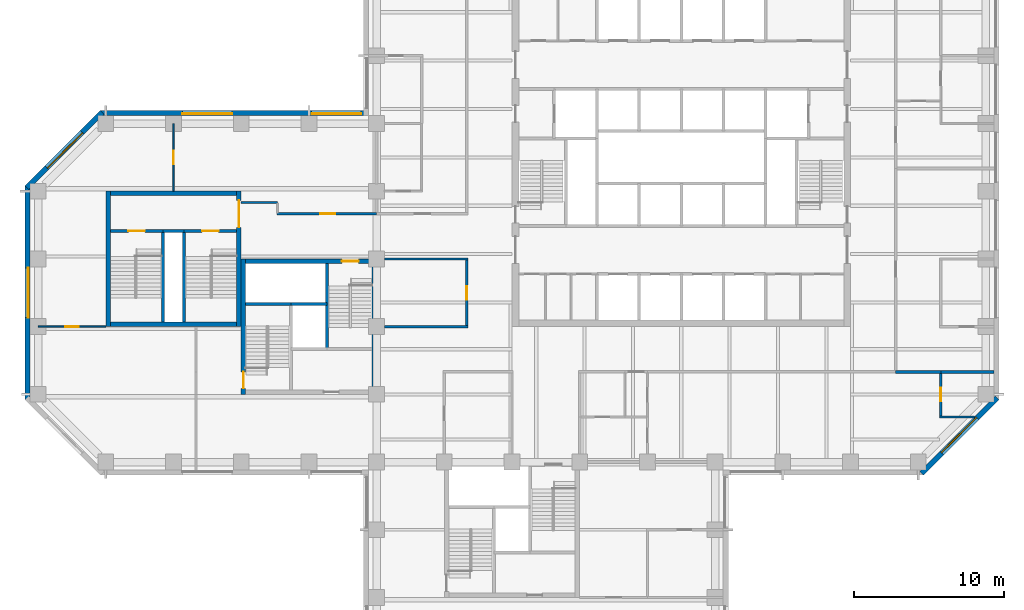
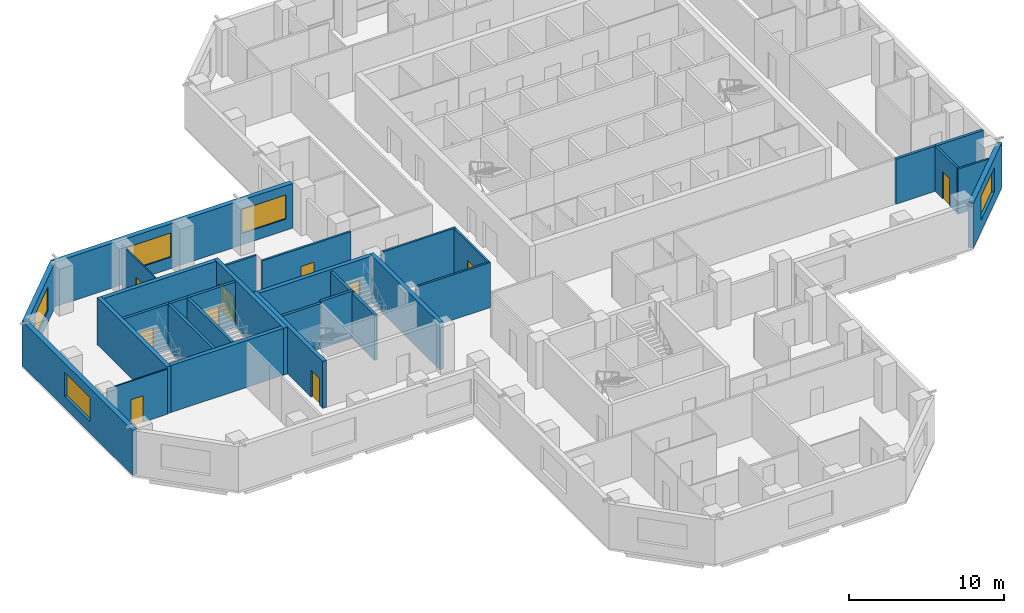
# One storey, part 5 of 11: 30 walls, 10 doors, 5 windows, 15 openings.
"""IFC4 building model written with IfcOpenShell, lengths in metres."""

from ifc_helpers import new_model, si_unit, direction, frame, frame_2d, origin, place, context, subcontext, project, spatial, rectangle, extrude, material, layer, layer_set, constituent, constituent_set, type_object, element, fill, save


model = new_model("IFC4")

# Units and contexts
model_context = context("Model", 3, precision=1e-05, world=origin(), true_north=direction((0.0, 1.0)))
body_context = subcontext(model_context, "Body", "Model", "MODEL_VIEW")
ifc_project = project(units=[si_unit("LENGTHUNIT", "METRE"), si_unit("AREAUNIT", "SQUARE_METRE"), si_unit("VOLUMEUNIT", "CUBIC_METRE"), si_unit("PLANEANGLEUNIT", "RADIAN"), si_unit("MASSUNIT", "GRAM", prefix="KILO")], contexts=[model_context])

# Site, building, storey
site_placement = place(None, origin())
site = spatial("IfcSite", under=ifc_project, at=site_placement, CompositionType="ELEMENT")
building_placement = place(site_placement, origin())
building = spatial("IfcBuilding", under=site, at=building_placement, Name="Quoin Convention Tower", CompositionType="ELEMENT")
storey_placement = place(building_placement, frame((0.0, 0.0, 123.300048828125)))
storey = spatial("IfcBuildingStorey", under=building, at=storey_placement, Name="L32", CompositionType="ELEMENT", Elevation=123.300048828125)

# Wall, opening, window
ifc_material_1 = material(Name="Brick masonry", Category="masonry")
ifc_layer_1 = layer(ifc_material_1, 0.35009765625)
ifc_layer_set_1 = layer_set([ifc_layer_1], Name="Brick masonry")
wall_type_1 = type_object("IfcWallType", Name="Brick facade wall", PredefinedType="STANDARD", material=ifc_layer_set_1)
wall_1_placement = place(storey_placement, frame((72.23876953125, 39.748779296875, 0.0), z_axis=(0.0, 0.0, 1.0), x_axis=(0.707106781187, 0.707106781187, 0.0)))
wall_1 = element("IfcWall", 1, at=wall_1_placement, inside=storey, type_object=wall_type_1, Name="fw-L32-72000_40500", PredefinedType="STANDARD", context=body_context, shape_type="SweptSolid", body=[
    extrude(rectangle(XDim=7.088623046875, YDim=0.35009765625, at=frame_2d((3.54443359375, 0.0))), origin(), (0.0, 0.0, 1.0), 3.52490234375),
])
opening_1_placement = place(wall_1_placement, frame((1.894287109375, 0.0, 0.89990234375)))
opening_1 = element("IfcOpeningElement", 2, at=opening_1_placement, cuts=wall_1, Name="Opening W-02", PredefinedType="OPENING", context=body_context, shape_type="SweptSolid", body=[
    extrude(rectangle(XDim=3.300048828125, YDim=1.89990234375, at=frame_2d((1.64990234375, 0.949951171875))), frame((0.0, 0.18505859375, 0.0), z_axis=(0.0, -1.0, 0.0), x_axis=(1.0, 0.0, 0.0)), (0.0, 0.0, 1.0), 0.3701171875),
])
ifc_material_2 = material(Name="Aluminium", Category="aluminium")
ifc_constituent_1 = constituent(ifc_material_2, Name="Frame")
ifc_material_3 = material(Name="Insulated glass", Category="glass")
ifc_constituent_2 = constituent(ifc_material_3, Name="Glazing")
ifc_constituent_set = constituent_set(constituents=[ifc_constituent_1, ifc_constituent_2], Name="Aluminium")
window_type = type_object("IfcWindowType", Name="Office window", PartitioningType="DOUBLE_PANEL_VERTICAL", PredefinedType="WINDOW", material=ifc_constituent_set)
window_1_placement = place(opening_1_placement, origin())
window_1 = element("IfcWindow", 3, at=window_1_placement, inside=storey, type_object=window_type, Name="win-L32-74745_42255", OverallHeight=1.89990234375, OverallWidth=3.300048828125, PartitioningType="SINGLE_PANEL", PredefinedType="WINDOW", context=body_context, shape_type="SweptSolid", body=[
    extrude(rectangle(XDim=3.300048828125, YDim=1.89990234375, at=frame_2d((1.64990234375, 0.949951171875))), frame((0.0, 0.0849609375, 0.0), z_axis=(0.0, -1.0, 0.0), x_axis=(1.0, 0.0, 0.0)), (0.0, 0.0, 1.0), 0.06005859375),
])
fill(opening_1, window_1)

# Wall, openings, windows
wall_2_placement = place(storey_placement, frame((35.47509765625, 63.699951171875, 0.0), z_axis=(0.0, 0.0, 1.0), x_axis=(-1.0, 0.0, 0.0)))
wall_2 = element("IfcWall", 4, at=wall_2_placement, inside=storey, type_object=wall_type_1, Name="fw-L32-36000_63000", PredefinedType="STANDARD", context=body_context, shape_type="SweptSolid", body=[
    extrude(rectangle(XDim=17.83740234375, YDim=0.35009765625, at=frame_2d((8.918701171875, 0.0))), origin(), (0.0, 0.0, 1.0), 3.52490234375),
])
opening_2_placement = place(wall_2_placement, frame((0.5, 0.0, 0.89990234375)))
opening_2 = element("IfcOpeningElement", 5, at=opening_2_placement, cuts=wall_2, Name="Opening W-02", PredefinedType="OPENING", context=body_context, shape_type="SweptSolid", body=[
    extrude(rectangle(XDim=3.300048828125, YDim=1.89990234375, at=frame_2d((1.64990234375, 0.949951171875))), frame((0.0, 0.18505859375, 0.0), z_axis=(0.0, -1.0, 0.0), x_axis=(1.0, 0.0, 0.0)), (0.0, 0.0, 1.0), 0.3701171875),
])
opening_3_placement = place(wall_2_placement, frame((9.074951171875, 0.0, 0.89990234375)))
opening_3 = element("IfcOpeningElement", 6, at=opening_3_placement, cuts=wall_2, Name="Opening W-02", PredefinedType="OPENING", context=body_context, shape_type="SweptSolid", body=[
    extrude(rectangle(XDim=3.300048828125, YDim=1.89990234375, at=frame_2d((1.64990234375, 0.949951171875))), frame((0.0, 0.18505859375, 0.0), z_axis=(0.0, -1.0, 0.0), x_axis=(1.0, 0.0, 0.0)), (0.0, 0.0, 1.0), 0.3701171875),
])
window_2_placement = place(opening_2_placement, origin())
window_2 = element("IfcWindow", 7, at=window_2_placement, inside=storey, type_object=window_type, Name="win-L32-33750_63700", OverallHeight=1.89990234375, OverallWidth=3.300048828125, PartitioningType="SINGLE_PANEL", PredefinedType="WINDOW", context=body_context, shape_type="SweptSolid", body=[
    extrude(rectangle(XDim=3.300048828125, YDim=1.89990234375, at=frame_2d((1.64990234375, 0.949951171875))), frame((0.0, 0.0849609375, 0.0), z_axis=(0.0, -1.0, 0.0), x_axis=(1.0, 0.0, 0.0)), (0.0, 0.0, 1.0), 0.06005859375),
])
fill(opening_2, window_2)
window_3_placement = place(opening_3_placement, origin())
window_3 = element("IfcWindow", 8, at=window_3_placement, inside=storey, type_object=window_type, Name="win-L32-24750_63700", OverallHeight=1.89990234375, OverallWidth=3.300048828125, PartitioningType="SINGLE_PANEL", PredefinedType="WINDOW", context=body_context, shape_type="SweptSolid", body=[
    extrude(rectangle(XDim=3.300048828125, YDim=1.89990234375, at=frame_2d((1.64990234375, 0.949951171875))), frame((0.0, 0.0849609375, 0.0), z_axis=(0.0, -1.0, 0.0), x_axis=(1.0, 0.0, 0.0)), (0.0, 0.0, 1.0), 0.06005859375),
])
fill(opening_3, window_3)

# Wall, opening, window
wall_3_placement = place(storey_placement, frame((17.76123046875, 63.751220703125, 0.0), z_axis=(0.0, 0.0, 1.0), x_axis=(-0.707106781187, -0.707106781187, 0.0)))
wall_3 = element("IfcWall", 9, at=wall_3_placement, inside=storey, type_object=wall_type_1, Name="fw-L32-18000_63000", PredefinedType="STANDARD", context=body_context, shape_type="SweptSolid", body=[
    extrude(rectangle(XDim=7.088623046875, YDim=0.35009765625, at=frame_2d((3.54443359375, 0.0))), origin(), (0.0, 0.0, 1.0), 3.52490234375),
])
opening_4_placement = place(wall_3_placement, frame((1.894287109375, 0.0, 0.89990234375)))
opening_4 = element("IfcOpeningElement", 10, at=opening_4_placement, cuts=wall_3, Name="Opening W-02", PredefinedType="OPENING", context=body_context, shape_type="SweptSolid", body=[
    extrude(rectangle(XDim=3.300048828125, YDim=1.89990234375, at=frame_2d((1.64990234375, 0.949951171875))), frame((0.0, 0.18505859375, 0.0), z_axis=(0.0, -1.0, 0.0), x_axis=(1.0, 0.0, 0.0)), (0.0, 0.0, 1.0), 0.3701171875),
])
window_4_placement = place(opening_4_placement, origin())
window_4 = element("IfcWindow", 11, at=window_4_placement, inside=storey, type_object=window_type, Name="win-L32-15255_61245", OverallHeight=1.89990234375, OverallWidth=3.300048828125, PartitioningType="SINGLE_PANEL", PredefinedType="WINDOW", context=body_context, shape_type="SweptSolid", body=[
    extrude(rectangle(XDim=3.300048828125, YDim=1.89990234375, at=frame_2d((1.64990234375, 0.949951171875))), frame((0.0, 0.0849609375, 0.0), z_axis=(0.0, -1.0, 0.0), x_axis=(1.0, 0.0, 0.0)), (0.0, 0.0, 1.0), 0.06005859375),
])
fill(opening_4, window_4)

wall_4_placement = place(storey_placement, frame((12.800048828125, 58.8623046875, 0.0), z_axis=(0.0, 0.0, 1.0), x_axis=(0.0, -1.0, 0.0)))
wall_4 = element("IfcWall", 12, at=wall_4_placement, inside=storey, type_object=wall_type_1, Name="fw-L32-13500_58500", PredefinedType="STANDARD", context=body_context, shape_type="SweptSolid", body=[
    extrude(rectangle(XDim=14.224609375, YDim=0.35009765625, at=frame_2d((7.1123046875, 0.0))), origin(), (0.0, 0.0, 1.0), 3.52490234375),
])
opening_5_placement = place(wall_4_placement, frame((5.46240234375, 0.0, 0.89990234375)))
opening_5 = element("IfcOpeningElement", 13, at=opening_5_placement, cuts=wall_4, Name="Opening W-02", PredefinedType="OPENING", context=body_context, shape_type="SweptSolid", body=[
    extrude(rectangle(XDim=3.300048828125, YDim=1.89990234375, at=frame_2d((1.64990234375, 0.949951171875))), frame((0.0, 0.18505859375, 0.0), z_axis=(0.0, -1.0, 0.0), x_axis=(1.0, 0.0, 0.0)), (0.0, 0.0, 1.0), 0.3701171875),
])
window_5_placement = place(opening_5_placement, origin())
window_5 = element("IfcWindow", 14, at=window_5_placement, inside=storey, type_object=window_type, Name="win-L32-12800_51750", OverallHeight=1.89990234375, OverallWidth=3.300048828125, PartitioningType="SINGLE_PANEL", PredefinedType="WINDOW", context=body_context, shape_type="SweptSolid", body=[
    extrude(rectangle(XDim=3.300048828125, YDim=1.89990234375, at=frame_2d((1.64990234375, 0.949951171875))), frame((0.0, 0.0849609375, 0.0), z_axis=(0.0, -1.0, 0.0), x_axis=(1.0, 0.0, 0.0)), (0.0, 0.0, 1.0), 0.06005859375),
])
fill(opening_5, window_5)

# Walls
ifc_material_4 = material(Name="Concrete C50", Category="concrete")
ifc_layer_2 = layer(ifc_material_4, 0.199951171875)
ifc_layer_set_2 = layer_set([ifc_layer_2], Name="Concrete C50")
wall_type_2 = type_object("IfcWallType", Name="Core shaft wall", PredefinedType="SOLIDWALL", material=ifc_layer_set_2)
wall_5_placement = place(storey_placement, frame((27.300048828125, 51.0, 0.0), z_axis=(0.0, 0.0, 1.0), x_axis=(1.0, 0.0, 0.0)))
element("IfcWall", 15, at=wall_5_placement, inside=storey, type_object=wall_type_2, Name="cr-P2-L32-h6000_300", PredefinedType="SOLIDWALL", context=body_context, shape_type="SweptSolid", body=[
    extrude(rectangle(XDim=3.0, YDim=0.199951171875, at=frame_2d((1.5, 0.0))), origin(), (0.0, 0.0, 1.0), 3.550048828125),
])
wall_6_placement = place(storey_placement, frame((32.699951171875, 48.0, 0.0), z_axis=(0.0, 0.0, 1.0), x_axis=(0.0, 1.0, 0.0)))
element("IfcWall", 16, at=wall_6_placement, inside=storey, type_object=wall_type_2, Name="cr-P2-L32-v5700_3000", PredefinedType="SOLIDWALL", context=body_context, shape_type="SweptSolid", body=[
    extrude(rectangle(XDim=5.699951171875, YDim=0.199951171875, at=frame_2d((2.85009765625, 0.0))), origin(), (0.0, 0.0, 1.0), 3.550048828125),
])
wall_7_placement = place(storey_placement, frame((21.800048828125, 55.85009765625, 0.0), z_axis=(0.0, 0.0, 1.0), x_axis=(1.0, 0.0, 0.0)))
element("IfcWall", 17, at=wall_7_placement, inside=storey, type_object=wall_type_2, Name="cr-P6-L32-h6350_3800", PredefinedType="SOLIDWALL", context=body_context, shape_type="SweptSolid", body=[
    extrude(rectangle(XDim=1.39990234375, YDim=0.199951171875, at=frame_2d((0.699951171875, 0.0))), origin(), (0.0, 0.0, 1.0), 3.550048828125),
])

# Wall, opening, door
wall_8_placement = place(storey_placement, frame((18.300048828125, 55.85009765625, 0.0), z_axis=(0.0, 0.0, 1.0), x_axis=(1.0, 0.0, 0.0)))
wall_8 = element("IfcWall", 18, at=wall_8_placement, inside=storey, type_object=wall_type_2, Name="cr-P6-L32-h6350_300", PredefinedType="SOLIDWALL", context=body_context, shape_type="SweptSolid", body=[
    extrude(rectangle(XDim=3.5, YDim=0.199951171875, at=frame_2d((1.75, 0.0))), origin(), (0.0, 0.0, 1.0), 3.550048828125),
])
opening_6_placement = place(wall_8_placement, frame((1.199951171875, 0.0, 0.0)))
opening_6 = element("IfcOpeningElement", 19, at=opening_6_placement, cuts=wall_8, Name="Opening SD11", PredefinedType="OPENING", context=body_context, shape_type="SweptSolid", body=[
    extrude(rectangle(XDim=1.10009765625, YDim=2.10009765625, at=frame_2d((0.550048828125, 1.050048828125))), frame((0.0, 0.10986328125, 0.0), z_axis=(0.0, -1.0, 0.0), x_axis=(1.0, 0.0, 0.0)), (0.0, 0.0, 1.0), 0.219970703125),
])
ifc_material_5 = material(Name="Steel door leaf", Category="steel")
door_type_1 = type_object("IfcDoorType", Name="Stair door 1100 x 2100", OperationType="SINGLE_SWING_RIGHT", PredefinedType="DOOR", material=ifc_material_5)
door_1_placement = place(opening_6_placement, origin())
door_1 = element("IfcDoor", 20, at=door_1_placement, inside=storey, type_object=door_type_1, Name="cd-P6-L32-SA-R2-SD11", OperationType="SINGLE_SWING_RIGHT", OverallHeight=2.10009765625, OverallWidth=1.10009765625, PredefinedType="DOOR", context=body_context, shape_type="SweptSolid", body=[
    extrude(rectangle(XDim=1.10009765625, YDim=2.10009765625, at=frame_2d((0.550048828125, 1.050048828125))), frame((0.0, 0.02490234375, 0.0), z_axis=(0.0, -1.0, 0.0), x_axis=(1.0, 0.0, 0.0)), (0.0, 0.0, 1.0), 0.050048828125),
])
fill(opening_6, door_1)

wall_9_placement = place(storey_placement, frame((23.199951171875, 55.85009765625, 0.0), z_axis=(0.0, 0.0, 1.0), x_axis=(1.0, 0.0, 0.0)))
wall_9 = element("IfcWall", 21, at=wall_9_placement, inside=storey, type_object=wall_type_2, Name="cr-P6-L32-h6350_5200", PredefinedType="SOLIDWALL", context=body_context, shape_type="SweptSolid", body=[
    extrude(rectangle(XDim=3.5, YDim=0.199951171875, at=frame_2d((1.75, 0.0))), origin(), (0.0, 0.0, 1.0), 3.550048828125),
])
opening_7_placement = place(wall_9_placement, frame((1.199951171875, 0.0, 0.0)))
opening_7 = element("IfcOpeningElement", 22, at=opening_7_placement, cuts=wall_9, Name="Opening SD12", PredefinedType="OPENING", context=body_context, shape_type="SweptSolid", body=[
    extrude(rectangle(XDim=1.10009765625, YDim=2.10009765625, at=frame_2d((0.550048828125, 1.050048828125))), frame((0.0, 0.10986328125, 0.0), z_axis=(0.0, -1.0, 0.0), x_axis=(1.0, 0.0, 0.0)), (0.0, 0.0, 1.0), 0.219970703125),
])
door_2_placement = place(opening_7_placement, origin())
door_2 = element("IfcDoor", 23, at=door_2_placement, inside=storey, type_object=door_type_1, Name="cd-P6-L32-SB-R2-SD12", OperationType="SINGLE_SWING_RIGHT", OverallHeight=2.10009765625, OverallWidth=1.10009765625, PredefinedType="DOOR", context=body_context, shape_type="SweptSolid", body=[
    extrude(rectangle(XDim=1.10009765625, YDim=2.10009765625, at=frame_2d((0.550048828125, 1.050048828125))), frame((0.0, 0.02490234375, 0.0), z_axis=(0.0, -1.0, 0.0), x_axis=(1.0, 0.0, 0.0)), (0.0, 0.0, 1.0), 0.050048828125),
])
fill(opening_7, door_2)

# Walls
for number, where, z_axis, x_axis, name in (
    (24, (21.800048828125, 49.800048828125, 0.0), (0.0, 0.0, 1.0), (0.0, 1.0, 0.0), "cr-P6-L32-v3800_300"),
    (25, (23.199951171875, 49.800048828125, 0.0), (0.0, 0.0, 1.0), (0.0, 1.0, 0.0), "cr-P6-L32-v5200_300"),
):
    element("IfcWall", number, at=place(storey_placement, frame(where, z_axis=z_axis, x_axis=x_axis)), inside=storey, type_object=wall_type_2, Name=name, PredefinedType="SOLIDWALL", context=body_context, shape_type="SweptSolid", body=[
        extrude(rectangle(XDim=6.050048828125, YDim=0.199951171875, at=frame_2d((3.02490234375, 0.0))), origin(), (0.0, 0.0, 1.0), 3.550048828125),
    ])
ifc_layer_3 = layer(ifc_material_4, 0.199951171875)
ifc_layer_set_3 = layer_set([ifc_layer_3], Name="Concrete C50")
wall_type_3 = type_object("IfcWallType", Name="Core shaft wall to the floor level over", PredefinedType="SOLIDWALL", material=ifc_layer_set_3)
wall_10_placement = place(storey_placement, frame((30.300048828125, 51.0, 0.0), z_axis=(0.0, 0.0, 1.0), x_axis=(1.0, 0.0, 0.0)))
element("IfcWall", 26, at=wall_10_placement, inside=storey, type_object=wall_type_3, Name="cr-P2-L32-h6000_3300", PredefinedType="SOLIDWALL", context=body_context, shape_type="SweptSolid", body=[
    extrude(rectangle(XDim=2.39990234375, YDim=0.199951171875, at=frame_2d((1.199951171875, 0.0))), origin(), (0.0, 0.0, 1.0), 3.699951171875),
])
ifc_material_6 = material(Name="Plasterboard")
ifc_layer_4 = layer(ifc_material_6, 0.012451171875, Name="Finish")
ifc_material_7 = material(Name="Steel stud framing", Category="steel")
ifc_layer_5 = layer(ifc_material_7, 0.125, Name="Structure")
ifc_layer_6 = layer(ifc_material_6, 0.012451171875, Name="Finish")
ifc_layer_set_4 = layer_set([ifc_layer_4, ifc_layer_5, ifc_layer_6], Name="Steel stud framing")
wall_type_4 = type_object("IfcWallType", Name="Corridor wall 150", PredefinedType="PARTITIONING", material=ifc_layer_set_4)
for number, where, z_axis, x_axis, name in (
    (27, (36.52490234375, 49.5, 0.0), (0.0, 0.0, 1.0), (1.0, 0.0, 0.0), "pw-L32-027"),
    (28, (36.52490234375, 54.0, 0.0), (0.0, 0.0, 1.0), (1.0, 0.0, 0.0), "pw-L32-031"),
):
    element("IfcWall", number, at=place(storey_placement, frame(where, z_axis=z_axis, x_axis=x_axis)), inside=storey, type_object=wall_type_4, Name=name, PredefinedType="PARTITIONING", context=body_context, shape_type="SweptSolid", body=[
        extrude(rectangle(XDim=5.550048828125, YDim=0.14990234375, at=frame_2d((2.77490234375, 0.0))), origin(), (0.0, 0.0, 1.0), 3.550048828125),
    ])

# Wall, opening, door
wall_11_placement = place(storey_placement, frame((29.3798828125, 57.0, 0.0), z_axis=(0.0, 0.0, 1.0), x_axis=(1.0, 0.0, 0.0)))
wall_11 = element("IfcWall", 29, at=wall_11_placement, inside=storey, type_object=wall_type_4, Name="pw-L32-033", PredefinedType="PARTITIONING", context=body_context, shape_type="SweptSolid", body=[
    extrude(rectangle(XDim=6.6201171875, YDim=0.14990234375, at=frame_2d((3.31005859375, 0.0))), origin(), (0.0, 0.0, 1.0), 3.550048828125),
])
opening_8_placement = place(wall_11_placement, frame((2.8798828125, 0.0, 0.0)))
opening_8 = element("IfcOpeningElement", 30, at=opening_8_placement, cuts=wall_11, Name="Opening DOL6-11", PredefinedType="OPENING", context=body_context, shape_type="SweptSolid", body=[
    extrude(rectangle(XDim=1.0, YDim=2.10009765625, at=frame_2d((0.5, 1.050048828125))), frame((0.0, 0.0849609375, 0.0), z_axis=(0.0, -1.0, 0.0), x_axis=(1.0, 0.0, 0.0)), (0.0, 0.0, 1.0), 0.169921875),
])
door_type_2 = type_object("IfcDoorType", Name="Tenancy entrance door 1000 x 2100", OperationType="DOUBLE_DOOR_SINGLE_SWING", PredefinedType="DOOR", material=ifc_material_5)
door_3_placement = place(opening_8_placement, origin())
door_3 = element("IfcDoor", 31, at=door_3_placement, inside=storey, type_object=door_type_2, Name="dr-L32-w01", OperationType="DOUBLE_DOOR_SINGLE_SWING", OverallHeight=2.10009765625, OverallWidth=1.0, PredefinedType="DOOR", context=body_context, shape_type="SweptSolid", body=[
    extrude(rectangle(XDim=1.0, YDim=2.10009765625, at=frame_2d((0.5, 1.050048828125))), frame((0.0, 0.02490234375, 0.0), z_axis=(0.0, -1.0, 0.0), x_axis=(1.0, 0.0, 0.0)), (0.0, 0.0, 1.0), 0.050048828125),
])
fill(opening_8, door_3)

wall_12_placement = place(storey_placement, frame((42.0, 49.574951171875, 0.0), z_axis=(0.0, 0.0, 1.0), x_axis=(0.0, 1.0, 0.0)))
wall_12 = element("IfcWall", 32, at=wall_12_placement, inside=storey, type_object=wall_type_4, Name="pw-L32-083", PredefinedType="PARTITIONING", context=body_context, shape_type="SweptSolid", body=[
    extrude(rectangle(XDim=4.35009765625, YDim=0.14990234375, at=frame_2d((2.175048828125, 0.0))), origin(), (0.0, 0.0, 1.0), 3.550048828125),
])
opening_9_placement = place(wall_12_placement, frame((1.699951171875, 0.0, 0.0)))
opening_9 = element("IfcOpeningElement", 33, at=opening_9_placement, cuts=wall_12, Name="Opening DOL6-30", PredefinedType="OPENING", context=body_context, shape_type="SweptSolid", body=[
    extrude(rectangle(XDim=0.89990234375, YDim=2.10009765625, at=frame_2d((0.449951171875, 1.050048828125))), frame((0.0, 0.0849609375, 0.0), z_axis=(0.0, -1.0, 0.0), x_axis=(1.0, 0.0, 0.0)), (0.0, 0.0, 1.0), 0.169921875),
])
door_type_3 = type_object("IfcDoorType", Name="Office door 900 x 2100", OperationType="SINGLE_SWING_RIGHT", PredefinedType="DOOR", material=ifc_material_5)
door_4_placement = place(opening_9_placement, origin())
door_4 = element("IfcDoor", 34, at=door_4_placement, inside=storey, type_object=door_type_3, Name="dr-L32-01", OperationType="SINGLE_SWING_RIGHT", OverallHeight=2.10009765625, OverallWidth=0.89990234375, PredefinedType="DOOR", context=body_context, shape_type="SweptSolid", body=[
    extrude(rectangle(XDim=0.89990234375, YDim=2.10009765625, at=frame_2d((0.449951171875, 1.050048828125))), frame((0.0, 0.02490234375, 0.0), z_axis=(0.0, -1.0, 0.0), x_axis=(1.0, 0.0, 0.0)), (0.0, 0.0, 1.0), 0.050048828125),
])
fill(opening_9, door_4)

# Wall
wall_13_placement = place(storey_placement, frame((27.0, 57.75, 0.0), z_axis=(0.0, 0.0, 1.0), x_axis=(1.0, 0.0, 0.0)))
element("IfcWall", 35, at=wall_13_placement, inside=storey, type_object=wall_type_4, Name="pw-L32-w03", PredefinedType="PARTITIONING", context=body_context, shape_type="SweptSolid", body=[
    extrude(rectangle(XDim=2.39990234375, YDim=0.14990234375, at=frame_2d((1.199951171875, 0.0))), origin(), (0.0, 0.0, 1.0), 3.550048828125),
])

# Wall, opening, door
ifc_material_8 = material(Name="Concrete C65", Category="concrete")
ifc_layer_7 = layer(ifc_material_8, 0.300048828125)
ifc_layer_set_5 = layer_set([ifc_layer_7], Name="Concrete C65")
wall_type_5 = type_object("IfcWallType", Name="RC CORE WALL 300 C65", PredefinedType="SHEAR", material=ifc_layer_set_5)
wall_14_placement = place(storey_placement, frame((27.300048828125, 53.85009765625, 0.0), z_axis=(0.0, 0.0, 1.0), x_axis=(1.0, 0.0, 0.0)))
wall_14 = element("IfcWall", 36, at=wall_14_placement, inside=storey, type_object=wall_type_5, Name="cwl-P2-L32-N", PredefinedType="SHEAR", context=body_context, shape_type="SweptSolid", body=[
    extrude(rectangle(XDim=8.39990234375, YDim=0.300048828125, at=frame_2d((4.199951171875, 0.0))), origin(), (0.0, 0.0, 1.0), 3.699951171875),
])
opening_10_placement = place(wall_14_placement, frame((6.39990234375, 0.0, 0.0)))
opening_10 = element("IfcOpeningElement", 37, at=opening_10_placement, cuts=wall_14, Name="Opening SD4", PredefinedType="OPENING", context=body_context, shape_type="SweptSolid", body=[
    extrude(rectangle(XDim=1.10009765625, YDim=2.10009765625, at=frame_2d((0.550048828125, 1.050048828125))), frame((0.0, 0.159912109375, 0.0), z_axis=(0.0, -1.0, 0.0), x_axis=(1.0, 0.0, 0.0)), (0.0, 0.0, 1.0), 0.320068359375),
])
door_5_placement = place(opening_10_placement, frame((1.10009765625, 0.0, 0.0), z_axis=(0.0, 0.0, 1.0), x_axis=(-1.0, 0.0, 0.0)))
door_5 = element("IfcDoor", 38, at=door_5_placement, inside=storey, type_object=door_type_1, Name="cd-P2-L32-SB-N", OperationType="SINGLE_SWING_LEFT", OverallHeight=2.10009765625, OverallWidth=1.10009765625, PredefinedType="DOOR", context=body_context, shape_type="SweptSolid", body=[
    extrude(rectangle(XDim=1.10009765625, YDim=2.10009765625, at=frame_2d((0.550048828125, 1.050048828125))), frame((0.0, 0.02490234375, 0.0), z_axis=(0.0, -1.0, 0.0), x_axis=(1.0, 0.0, 0.0)), (0.0, 0.0, 1.0), 0.050048828125),
])
fill(opening_10, door_5)

wall_15_placement = place(storey_placement, frame((27.14990234375, 45.0, 0.0), z_axis=(0.0, 0.0, 1.0), x_axis=(0.0, 1.0, 0.0)))
wall_15 = element("IfcWall", 39, at=wall_15_placement, inside=storey, type_object=wall_type_5, Name="cwl-P2-L32-W", PredefinedType="SHEAR", context=body_context, shape_type="SweptSolid", body=[
    extrude(rectangle(XDim=9.0, YDim=0.300048828125, at=frame_2d((4.5, 0.0))), origin(), (0.0, 0.0, 1.0), 3.699951171875),
])
opening_11_placement = place(wall_15_placement, frame((0.39990234375, 0.0, 0.0)))
opening_11 = element("IfcOpeningElement", 40, at=opening_11_placement, cuts=wall_15, Name="Opening SD3", PredefinedType="OPENING", context=body_context, shape_type="SweptSolid", body=[
    extrude(rectangle(XDim=1.10009765625, YDim=2.10009765625, at=frame_2d((0.550048828125, 1.050048828125))), frame((0.0, 0.159912109375, 0.0), z_axis=(0.0, -1.0, 0.0), x_axis=(1.0, 0.0, 0.0)), (0.0, 0.0, 1.0), 0.320068359375),
])
door_6_placement = place(opening_11_placement, frame((1.10009765625, 0.0, 0.0), z_axis=(0.0, 0.0, 1.0), x_axis=(-1.0, 0.0, 0.0)))
door_6 = element("IfcDoor", 41, at=door_6_placement, inside=storey, type_object=door_type_1, Name="cd-P2-L32-SA-W", OperationType="SINGLE_SWING_RIGHT", OverallHeight=2.10009765625, OverallWidth=1.10009765625, PredefinedType="DOOR", context=body_context, shape_type="SweptSolid", body=[
    extrude(rectangle(XDim=1.10009765625, YDim=2.10009765625, at=frame_2d((0.550048828125, 1.050048828125))), frame((0.0, 0.02490234375, 0.0), z_axis=(0.0, -1.0, 0.0), x_axis=(1.0, 0.0, 0.0)), (0.0, 0.0, 1.0), 0.050048828125),
])
fill(opening_11, door_6)

# Walls
wall_16_placement = place(storey_placement, frame((35.85009765625, 45.0, 0.0), z_axis=(0.0, 0.0, 1.0), x_axis=(0.0, 1.0, 0.0)))
element("IfcWall", 42, at=wall_16_placement, inside=storey, type_object=wall_type_5, Name="cwl-P2-L32-E", PredefinedType="SHEAR", context=body_context, shape_type="SweptSolid", body=[
    extrude(rectangle(XDim=9.0, YDim=0.300048828125, at=frame_2d((4.5, 0.0))), origin(), (0.0, 0.0, 1.0), 3.699951171875),
])
for number, where, z_axis, x_axis, name in (
    (43, (18.300048828125, 49.64990234375, 0.0), (0.0, 0.0, 1.0), (1.0, 0.0, 0.0), "cwl-P6-L32-S"),
    (44, (18.300048828125, 58.35009765625, 0.0), (0.0, 0.0, 1.0), (1.0, 0.0, 0.0), "cwl-P6-L32-N"),
):
    element("IfcWall", number, at=place(storey_placement, frame(where, z_axis=z_axis, x_axis=x_axis)), inside=storey, type_object=wall_type_5, Name=name, PredefinedType="SHEAR", context=body_context, shape_type="SweptSolid", body=[
        extrude(rectangle(XDim=8.39990234375, YDim=0.300048828125, at=frame_2d((4.199951171875, 0.0))), origin(), (0.0, 0.0, 1.0), 3.699951171875),
    ])
wall_17_placement = place(storey_placement, frame((18.14990234375, 49.5, 0.0), z_axis=(0.0, 0.0, 1.0), x_axis=(0.0, 1.0, 0.0)))
element("IfcWall", 45, at=wall_17_placement, inside=storey, type_object=wall_type_5, Name="cwl-P6-L32-W", PredefinedType="SHEAR", context=body_context, shape_type="SweptSolid", body=[
    extrude(rectangle(XDim=9.0, YDim=0.300048828125, at=frame_2d((4.5, 0.0))), origin(), (0.0, 0.0, 1.0), 3.699951171875),
])

# Wall, opening, door
wall_18_placement = place(storey_placement, frame((26.85009765625, 49.5, 0.0), z_axis=(0.0, 0.0, 1.0), x_axis=(0.0, 1.0, 0.0)))
wall_18 = element("IfcWall", 46, at=wall_18_placement, inside=storey, type_object=wall_type_5, Name="cwl-P6-L32-E", PredefinedType="SHEAR", context=body_context, shape_type="SweptSolid", body=[
    extrude(rectangle(XDim=9.0, YDim=0.300048828125, at=frame_2d((4.5, 0.0))), origin(), (0.0, 0.0, 1.0), 3.699951171875),
])
opening_12_placement = place(wall_18_placement, frame((6.60009765625, 0.0, 0.0)))
opening_12 = element("IfcOpeningElement", 47, at=opening_12_placement, cuts=wall_18, Name="Opening DCV5-54", PredefinedType="OPENING", context=body_context, shape_type="SweptSolid", body=[
    extrude(rectangle(XDim=1.800048828125, YDim=2.10009765625, at=frame_2d((0.89990234375, 1.050048828125))), frame((0.0, 0.159912109375, 0.0), z_axis=(0.0, -1.0, 0.0), x_axis=(1.0, 0.0, 0.0)), (0.0, 0.0, 1.0), 0.320068359375),
])
door_type_4 = type_object("IfcDoorType", Name="Goods lobby door 1800 x 2100", OperationType="SINGLE_SWING_LEFT", PredefinedType="DOOR", material=ifc_material_5)
door_7_placement = place(opening_12_placement, origin())
door_7 = element("IfcDoor", 48, at=door_7_placement, inside=storey, type_object=door_type_4, Name="cd-P6-L32-R2-E", OperationType="SINGLE_SWING_LEFT", OverallHeight=2.10009765625, OverallWidth=1.800048828125, PredefinedType="DOOR", context=body_context, shape_type="SweptSolid", body=[
    extrude(rectangle(XDim=1.800048828125, YDim=2.10009765625, at=frame_2d((0.89990234375, 1.050048828125))), frame((0.0, 0.02490234375, 0.0), z_axis=(0.0, -1.0, 0.0), x_axis=(1.0, 0.0, 0.0)), (0.0, 0.0, 1.0), 0.050048828125),
])
fill(opening_12, door_7)

ifc_layer_8 = layer(ifc_material_6, 0.012451171875, Name="Finish")
ifc_layer_9 = layer(ifc_material_7, 0.074951171875, Name="Structure")
ifc_layer_10 = layer(ifc_material_6, 0.012451171875, Name="Finish")
ifc_layer_set_6 = layer_set([ifc_layer_8, ifc_layer_9, ifc_layer_10], Name="Steel stud framing")
wall_type_6 = type_object("IfcWallType", Name="Stud partition 100", PredefinedType="PARTITIONING", material=ifc_layer_set_6)
wall_19_placement = place(storey_placement, frame((22.5, 63.0, 0.0), z_axis=(0.0, 0.0, 1.0), x_axis=(0.0, -1.0, 0.0)))
wall_19 = element("IfcWall", 49, at=wall_19_placement, inside=storey, type_object=wall_type_6, Name="pw-L32-w01", PredefinedType="PARTITIONING", context=body_context, shape_type="SweptSolid", body=[
    extrude(rectangle(XDim=4.5, YDim=0.10009765625, at=frame_2d((2.25, 0.0))), origin(), (0.0, 0.0, 1.0), 3.550048828125),
])
opening_13_placement = place(wall_19_placement, frame((1.800048828125, 0.0, 0.0)))
opening_13 = element("IfcOpeningElement", 50, at=opening_13_placement, cuts=wall_19, Name="Opening DOL6-38", PredefinedType="OPENING", context=body_context, shape_type="SweptSolid", body=[
    extrude(rectangle(XDim=0.89990234375, YDim=2.10009765625, at=frame_2d((0.449951171875, 1.050048828125))), frame((0.0, 0.06005859375, 0.0), z_axis=(0.0, -1.0, 0.0), x_axis=(1.0, 0.0, 0.0)), (0.0, 0.0, 1.0), 0.1201171875),
])
door_8_placement = place(opening_13_placement, origin())
door_8 = element("IfcDoor", 51, at=door_8_placement, inside=storey, type_object=door_type_3, Name="dr-L32-w02", OperationType="SINGLE_SWING_LEFT", OverallHeight=2.10009765625, OverallWidth=0.89990234375, PredefinedType="DOOR", context=body_context, shape_type="SweptSolid", body=[
    extrude(rectangle(XDim=0.89990234375, YDim=2.10009765625, at=frame_2d((0.449951171875, 1.050048828125))), frame((0.0, 0.02490234375, 0.0), z_axis=(0.0, -1.0, 0.0), x_axis=(1.0, 0.0, 0.0)), (0.0, 0.0, 1.0), 0.050048828125),
])
fill(opening_13, door_8)

wall_20_placement = place(storey_placement, frame((13.5, 49.5, 0.0), z_axis=(0.0, 0.0, 1.0), x_axis=(1.0, 0.0, 0.0)))
wall_20 = element("IfcWall", 52, at=wall_20_placement, inside=storey, type_object=wall_type_6, Name="pw-L32-w02", PredefinedType="PARTITIONING", context=body_context, shape_type="SweptSolid", body=[
    extrude(rectangle(XDim=4.5, YDim=0.10009765625, at=frame_2d((2.25, 0.0))), origin(), (0.0, 0.0, 1.0), 3.550048828125),
])
opening_14_placement = place(wall_20_placement, frame((1.800048828125, 0.0, 0.0)))
opening_14 = element("IfcOpeningElement", 53, at=opening_14_placement, cuts=wall_20, Name="Opening DOL6-39", PredefinedType="OPENING", context=body_context, shape_type="SweptSolid", body=[
    extrude(rectangle(XDim=0.89990234375, YDim=2.10009765625, at=frame_2d((0.449951171875, 1.050048828125))), frame((0.0, 0.06005859375, 0.0), z_axis=(0.0, -1.0, 0.0), x_axis=(1.0, 0.0, 0.0)), (0.0, 0.0, 1.0), 0.1201171875),
])
door_9_placement = place(opening_14_placement, frame((0.89990234375, 0.0, 0.0), z_axis=(0.0, 0.0, 1.0), x_axis=(-1.0, 0.0, 0.0)))
door_9 = element("IfcDoor", 54, at=door_9_placement, inside=storey, type_object=door_type_3, Name="dr-L32-w03", OperationType="SINGLE_SWING_LEFT", OverallHeight=2.10009765625, OverallWidth=0.89990234375, PredefinedType="DOOR", context=body_context, shape_type="SweptSolid", body=[
    extrude(rectangle(XDim=0.89990234375, YDim=2.10009765625, at=frame_2d((0.449951171875, 1.050048828125))), frame((0.0, 0.02490234375, 0.0), z_axis=(0.0, -1.0, 0.0), x_axis=(1.0, 0.0, 0.0)), (0.0, 0.0, 1.0), 0.050048828125),
])
fill(opening_14, door_9)

# Walls
ifc_layer_11 = layer(ifc_material_6, 0.012451171875, Name="Finish")
ifc_layer_12 = layer(ifc_material_7, 0.175048828125, Name="Structure")
ifc_layer_13 = layer(ifc_material_6, 0.012451171875, Name="Finish")
ifc_layer_set_7 = layer_set([ifc_layer_11, ifc_layer_12, ifc_layer_13], Name="Steel stud framing")
wall_type_7 = type_object("IfcWallType", Name="Tenancy demising wall 200", PredefinedType="PARTITIONING", material=ifc_layer_set_7)
wall_21_placement = place(storey_placement, frame((70.5, 46.5, 0.0), z_axis=(0.0, 0.0, 1.0), x_axis=(1.0, 0.0, 0.0)))
element("IfcWall", 55, at=wall_21_placement, inside=storey, type_object=wall_type_7, Name="pw-L32-024", PredefinedType="PARTITIONING", context=body_context, shape_type="SweptSolid", body=[
    extrude(rectangle(XDim=3.0, YDim=0.199951171875, at=frame_2d((1.5, 0.0))), origin(), (0.0, 0.0, 1.0), 3.550048828125),
])
wall_22_placement = place(storey_placement, frame((73.5, 46.5, 0.0), z_axis=(0.0, 0.0, 1.0), x_axis=(1.0, 0.0, 0.0)))
element("IfcWall", 56, at=wall_22_placement, inside=storey, type_object=wall_type_7, Name="pw-L32-025", PredefinedType="PARTITIONING", context=body_context, shape_type="SweptSolid", body=[
    extrude(rectangle(XDim=3.52490234375, YDim=0.199951171875, at=frame_2d((1.762451171875, 0.0))), origin(), (0.0, 0.0, 1.0), 3.550048828125),
])
ifc_layer_14 = layer(ifc_material_6, 0.012451171875, Name="Finish")
ifc_layer_15 = layer(ifc_material_7, 0.125, Name="Structure")
ifc_layer_16 = layer(ifc_material_6, 0.012451171875, Name="Finish")
ifc_layer_set_8 = layer_set([ifc_layer_14, ifc_layer_15, ifc_layer_16], Name="Steel stud framing")
wall_type_8 = type_object("IfcWallType", Name="Wet area partition 150", PredefinedType="PARTITIONING", material=ifc_layer_set_8)
wall_23_placement = place(storey_placement, frame((73.425048828125, 43.5, 0.0), z_axis=(0.0, 0.0, 1.0), x_axis=(1.0, 0.0, 0.0)))
element("IfcWall", 57, at=wall_23_placement, inside=storey, type_object=wall_type_8, Name="pw-L32-016", PredefinedType="PARTITIONING", context=body_context, shape_type="SweptSolid", body=[
    extrude(rectangle(XDim=2.3173828125, YDim=0.14990234375, at=frame_2d((1.15869140625, 0.0))), origin(), (0.0, 0.0, 1.0), 3.550048828125),
])

# Wall, opening, door
wall_24_placement = place(storey_placement, frame((73.5, 43.574951171875, 0.0), z_axis=(0.0, 0.0, 1.0), x_axis=(0.0, 1.0, 0.0)))
wall_24 = element("IfcWall", 58, at=wall_24_placement, inside=storey, type_object=wall_type_8, Name="pw-L32-076", PredefinedType="PARTITIONING", context=body_context, shape_type="SweptSolid", body=[
    extrude(rectangle(XDim=2.824951171875, YDim=0.14990234375, at=frame_2d((1.41259765625, 0.0))), origin(), (0.0, 0.0, 1.0), 3.550048828125),
])
opening_15_placement = place(wall_24_placement, frame((0.949951171875, 0.0, 0.0)))
opening_15 = element("IfcOpeningElement", 59, at=opening_15_placement, cuts=wall_24, Name="Opening DOL6-28", PredefinedType="OPENING", context=body_context, shape_type="SweptSolid", body=[
    extrude(rectangle(XDim=0.89990234375, YDim=2.10009765625, at=frame_2d((0.449951171875, 1.050048828125))), frame((0.0, 0.0849609375, 0.0), z_axis=(0.0, -1.0, 0.0), x_axis=(1.0, 0.0, 0.0)), (0.0, 0.0, 1.0), 0.169921875),
])
door_10_placement = place(opening_15_placement, origin())
door_10 = element("IfcDoor", 60, at=door_10_placement, inside=storey, type_object=door_type_3, Name="dr-L32-20", OperationType="SINGLE_SWING_RIGHT", OverallHeight=2.10009765625, OverallWidth=0.89990234375, PredefinedType="DOOR", context=body_context, shape_type="SweptSolid", body=[
    extrude(rectangle(XDim=0.89990234375, YDim=2.10009765625, at=frame_2d((0.449951171875, 1.050048828125))), frame((0.0, 0.02490234375, 0.0), z_axis=(0.0, -1.0, 0.0), x_axis=(1.0, 0.0, 0.0)), (0.0, 0.0, 1.0), 0.050048828125),
])
fill(opening_15, door_10)

save(model, "model.ifc")
